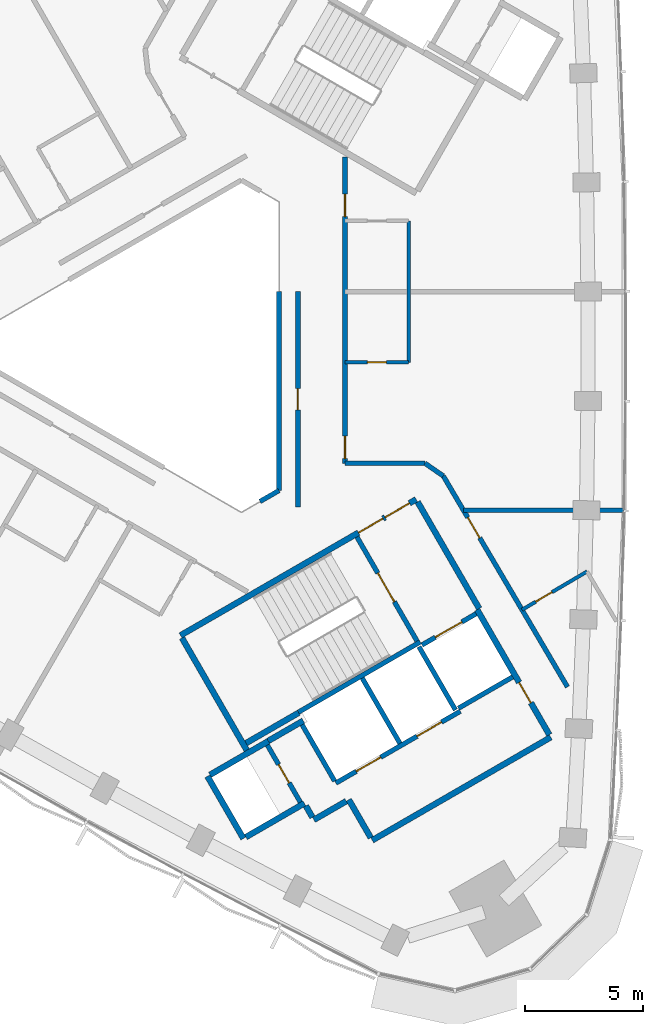
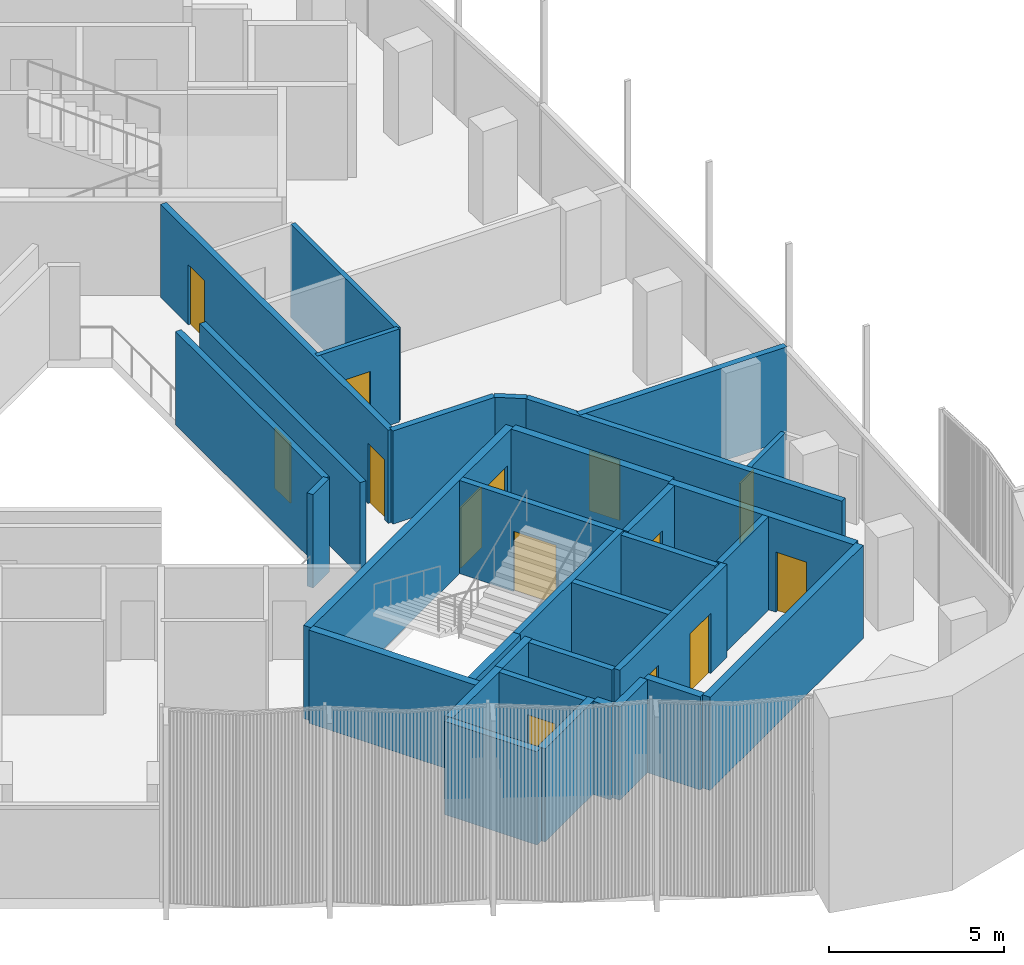
# One storey, part 8 of 13: 33 walls, 14 doors, 14 openings.
"""IFC4 building model written with IfcOpenShell, lengths in metres."""

from ifc_helpers import new_model, si_unit, direction, frame, frame_2d, origin, place, context, subcontext, project, spatial, rectangle, extrude, material, layer, layer_set, type_object, element, fill, save


model = new_model("IFC4")

# Units and contexts
model_context = context("Model", 3, precision=1e-05, world=origin(), true_north=direction((0.0, 1.0)))
body_context = subcontext(model_context, "Body", "Model", "MODEL_VIEW")
ifc_project = project(units=[si_unit("LENGTHUNIT", "METRE"), si_unit("AREAUNIT", "SQUARE_METRE"), si_unit("VOLUMEUNIT", "CUBIC_METRE"), si_unit("PLANEANGLEUNIT", "RADIAN"), si_unit("MASSUNIT", "GRAM", prefix="KILO")], contexts=[model_context])

# Site, building, storey
site_placement = place(None, origin())
site = spatial("IfcSite", under=ifc_project, at=site_placement, CompositionType="ELEMENT")
building_placement = place(site_placement, origin())
building = spatial("IfcBuilding", under=site, at=building_placement, Name="Tamra Quay Hotel Tower", CompositionType="ELEMENT")
storey_placement = place(building_placement, frame((0.0, 0.0, 204.39990234375)))
storey = spatial("IfcBuildingStorey", under=building, at=storey_placement, Name="L51", CompositionType="ELEMENT", Elevation=204.39990234375)

# Wall
ifc_material_1 = material(Name="Concrete M70", Category="concrete")
ifc_layer_1 = layer(ifc_material_1, 0.199951171875)
ifc_layer_set_1 = layer_set([ifc_layer_1], Name="Concrete M70 core wall 200")
wall_type_1 = type_object("IfcWallType", Name="Concrete M70 core wall 200", PredefinedType="SHEAR", material=ifc_layer_set_1)
wall_1_placement = place(storey_placement, frame((5.4189453125, -15.533935546875, 0.0), z_axis=(0.0, 0.0, 1.0), x_axis=(0.866029065029, 0.499993658486, 0.0)))
element("IfcWall", 1, at=wall_1_placement, inside=storey, type_object=wall_type_1, Name="CW2", PredefinedType="SHEAR", context=body_context, shape_type="SweptSolid", body=[
    extrude(rectangle(XDim=5.97412109375, YDim=0.199951171875, at=frame_2d((2.987060546875, 0.0))), origin(), (0.0, 0.0, 1.0), 3.25),
])

# Wall, openings, doors
wall_2_placement = place(storey_placement, frame((7.009765625, -18.54150390625, 0.0), z_axis=(0.0, 0.0, 1.0), x_axis=(0.866030299012, 0.499991521122, 0.0)))
wall_2 = element("IfcWall", 2, at=wall_2_placement, inside=storey, type_object=wall_type_1, Name="CW2", PredefinedType="SHEAR", context=body_context, shape_type="SweptSolid", body=[
    extrude(rectangle(XDim=6.10009765625, YDim=0.199951171875, at=frame_2d((3.050048828125, 0.0))), origin(), (0.0, 0.0, 1.0), 3.25),
])
opening_1_placement = place(wall_2_placement, frame((1.0, 0.0, 0.0)))
opening_1 = element("IfcOpeningElement", 3, at=opening_1_placement, cuts=wall_2, Name="Opening LD", PredefinedType="OPENING", context=body_context, shape_type="SweptSolid", body=[
    extrude(rectangle(XDim=1.199951171875, YDim=2.10009765625, at=frame_2d((0.60009765625, 1.050048828125))), frame((0.0, 0.10986328125, 0.0), z_axis=(0.0, -1.0, 0.0), x_axis=(1.0, 0.0, 0.0)), (0.0, 0.0, 1.0), 0.219970703125),
])
opening_2_placement = place(wall_2_placement, frame((3.982177734375, 0.0, 0.0)))
opening_2 = element("IfcOpeningElement", 4, at=opening_2_placement, cuts=wall_2, Name="Opening LD", PredefinedType="OPENING", context=body_context, shape_type="SweptSolid", body=[
    extrude(rectangle(XDim=1.199951171875, YDim=2.10009765625, at=frame_2d((0.60009765625, 1.050048828125))), frame((0.0, 0.10986328125, 0.0), z_axis=(0.0, -1.0, 0.0), x_axis=(1.0, 0.0, 0.0)), (0.0, 0.0, 1.0), 0.219970703125),
])
ifc_material_2 = material(Name="Landing door LD 1200 double door sliding")
door_type_1 = type_object("IfcDoorType", Name="Landing door LD 1200 double door sliding", OperationType="DOUBLE_DOOR_SLIDING", PredefinedType="DOOR", material=ifc_material_2)
door_1_placement = place(opening_1_placement, origin())
door_1 = element("IfcDoor", 5, at=door_1_placement, inside=storey, type_object=door_type_1, Name="LD", OperationType="DOUBLE_DOOR_SLIDING", OverallHeight=2.10009765625, OverallWidth=1.199951171875, PredefinedType="DOOR", context=body_context, shape_type="SweptSolid", body=[
    extrude(rectangle(XDim=1.199951171875, YDim=2.10009765625, at=frame_2d((0.60009765625, 1.050048828125))), frame((0.0, 0.02490234375, 0.0), z_axis=(0.0, -1.0, 0.0), x_axis=(1.0, 0.0, 0.0)), (0.0, 0.0, 1.0), 0.050048828125),
])
fill(opening_1, door_1)
door_2_placement = place(opening_2_placement, origin())
door_2 = element("IfcDoor", 6, at=door_2_placement, inside=storey, type_object=door_type_1, Name="LD", OperationType="DOUBLE_DOOR_SLIDING", OverallHeight=2.10009765625, OverallWidth=1.199951171875, PredefinedType="DOOR", context=body_context, shape_type="SweptSolid", body=[
    extrude(rectangle(XDim=1.199951171875, YDim=2.10009765625, at=frame_2d((0.60009765625, 1.050048828125))), frame((0.0, 0.02490234375, 0.0), z_axis=(0.0, -1.0, 0.0), x_axis=(1.0, 0.0, 0.0)), (0.0, 0.0, 1.0), 0.050048828125),
])
fill(opening_2, door_2)

# Wall, opening, door
wall_3_placement = place(storey_placement, frame((7.906494140625, -8.094482421875, 0.0), z_axis=(0.0, 0.0, 1.0), x_axis=(0.500027839223, -0.866009330205, 0.0)))
wall_3 = element("IfcWall", 7, at=wall_3_placement, inside=storey, type_object=wall_type_1, Name="CW2", PredefinedType="SHEAR", context=body_context, shape_type="SweptSolid", body=[
    extrude(rectangle(XDim=5.097900390625, YDim=0.199951171875, at=frame_2d((2.548828125, 0.0))), origin(), (0.0, 0.0, 1.0), 3.25),
])
opening_3_placement = place(wall_3_placement, frame((1.77392578125, 0.0, 0.0)))
opening_3 = element("IfcOpeningElement", 8, at=opening_3_placement, cuts=wall_3, Name="Opening FD2", PredefinedType="OPENING", context=body_context, shape_type="SweptSolid", body=[
    extrude(rectangle(XDim=1.39990234375, YDim=2.10009765625, at=frame_2d((0.699951171875, 1.050048828125))), frame((0.0, 0.10986328125, 0.0), z_axis=(0.0, -1.0, 0.0), x_axis=(1.0, 0.0, 0.0)), (0.0, 0.0, 1.0), 0.219970703125),
])
ifc_material_3 = material(Name="Core door FD2 1400x2100 RH")
door_type_2 = type_object("IfcDoorType", Name="Core door FD2 1400x2100 RH", OperationType="NOTDEFINED", PredefinedType="DOOR", material=ifc_material_3)
door_3_placement = place(opening_3_placement, origin())
door_3 = element("IfcDoor", 9, at=door_3_placement, inside=storey, type_object=door_type_2, Name="FD2", OperationType="SINGLE_SWING_RIGHT", OverallHeight=2.10009765625, OverallWidth=1.39990234375, PredefinedType="DOOR", context=body_context, shape_type="SweptSolid", body=[
    extrude(rectangle(XDim=1.39990234375, YDim=2.10009765625, at=frame_2d((0.699951171875, 1.050048828125))), frame((0.0, 0.02490234375, 0.0), z_axis=(0.0, -1.0, 0.0), x_axis=(1.0, 0.0, 0.0)), (0.0, 0.0, 1.0), 0.050048828125),
])
fill(opening_3, door_3)

# Wall
wall_4_placement = place(storey_placement, frame((8.131591796875, -14.084228515625, 0.0), z_axis=(0.0, 0.0, 1.0), x_axis=(0.499997778408, -0.866026686418, 0.0)))
element("IfcWall", 10, at=wall_4_placement, inside=storey, type_object=wall_type_1, Name="CW2", PredefinedType="SHEAR", context=body_context, shape_type="SweptSolid", body=[
    extrude(rectangle(XDim=3.1982421875, YDim=0.199951171875, at=frame_2d((1.59912109375, 0.0))), origin(), (0.0, 0.0, 1.0), 3.25),
])

# Wall, opening, door
wall_5_placement = place(storey_placement, frame((5.50341796875, -19.352294921875, 0.0), z_axis=(0.0, 0.0, 1.0), x_axis=(-0.499986818241, 0.866033014143, 0.0)))
wall_5 = element("IfcWall", 11, at=wall_5_placement, inside=storey, type_object=wall_type_1, Name="CW2", PredefinedType="SHEAR", context=body_context, shape_type="SweptSolid", body=[
    extrude(rectangle(XDim=2.7978515625, YDim=0.199951171875, at=frame_2d((1.39892578125, 0.0))), origin(), (0.0, 0.0, 1.0), 3.25),
])
opening_4_placement = place(wall_5_placement, frame((0.948974609375, 0.0, 0.0)))
opening_4 = element("IfcOpeningElement", 12, at=opening_4_placement, cuts=wall_5, Name="Opening D1", PredefinedType="OPENING", context=body_context, shape_type="SweptSolid", body=[
    extrude(rectangle(XDim=0.89990234375, YDim=2.10009765625, at=frame_2d((0.449951171875, 1.050048828125))), frame((0.0, 0.10986328125, 0.0), z_axis=(0.0, -1.0, 0.0), x_axis=(1.0, 0.0, 0.0)), (0.0, 0.0, 1.0), 0.219970703125),
])
ifc_material_4 = material(Name="Core door D1 900x2100 LH")
door_type_3 = type_object("IfcDoorType", Name="Core door D1 900x2100 LH", OperationType="NOTDEFINED", PredefinedType="DOOR", material=ifc_material_4)
door_4_placement = place(opening_4_placement, origin())
door_4 = element("IfcDoor", 13, at=door_4_placement, inside=storey, type_object=door_type_3, Name="D1", OperationType="SINGLE_SWING_LEFT", OverallHeight=2.10009765625, OverallWidth=0.89990234375, PredefinedType="DOOR", context=body_context, shape_type="SweptSolid", body=[
    extrude(rectangle(XDim=0.89990234375, YDim=2.10009765625, at=frame_2d((0.449951171875, 1.050048828125))), frame((0.0, 0.02490234375, 0.0), z_axis=(0.0, -1.0, 0.0), x_axis=(1.0, 0.0, 0.0)), (0.0, 0.0, 1.0), 0.050048828125),
])
fill(opening_4, door_4)

# Walls
wall_6_placement = place(storey_placement, frame((6.959716796875, -18.455078125, 0.0), z_axis=(0.0, 0.0, 1.0), x_axis=(-0.499926705758, 0.866067716099, 0.0)))
element("IfcWall", 14, at=wall_6_placement, inside=storey, type_object=wall_type_1, Name="CW2", PredefinedType="SHEAR", context=body_context, shape_type="SweptSolid", body=[
    extrude(rectangle(XDim=2.75927734375, YDim=0.199951171875, at=frame_2d((1.379638671875, 0.0))), origin(), (0.0, 0.0, 1.0), 3.25),
])
wall_7_placement = place(storey_placement, frame((12.087646484375, -15.4365234375, 0.0), z_axis=(0.0, 0.0, 1.0), x_axis=(-0.500026960575, 0.86600983753, 0.0)))
element("IfcWall", 15, at=wall_7_placement, inside=storey, type_object=wall_type_1, Name="CW2", PredefinedType="SHEAR", context=body_context, shape_type="SweptSolid", body=[
    extrude(rectangle(XDim=3.099853515625, YDim=0.199951171875, at=frame_2d((1.5498046875, 0.0))), origin(), (0.0, 0.0, 1.0), 3.25),
])

# Wall, opening, door
wall_8_placement = place(storey_placement, frame((10.666015625, -12.677734375, 0.0), z_axis=(0.0, 0.0, 1.0), x_axis=(0.866018407898, 0.500012117035, 0.0)))
wall_8 = element("IfcWall", 16, at=wall_8_placement, inside=storey, type_object=wall_type_1, Name="CW2", PredefinedType="SHEAR", context=body_context, shape_type="SweptSolid", body=[
    extrude(rectangle(XDim=2.65087890625, YDim=0.199951171875, at=frame_2d((1.325439453125, 0.0))), origin(), (0.0, 0.0, 1.0), 3.25),
])
opening_5_placement = place(wall_8_placement, frame((0.65185546875, 0.0, 0.0)))
opening_5 = element("IfcOpeningElement", 17, at=opening_5_placement, cuts=wall_8, Name="Opening LD", PredefinedType="OPENING", context=body_context, shape_type="SweptSolid", body=[
    extrude(rectangle(XDim=1.300048828125, YDim=2.10009765625, at=frame_2d((0.64990234375, 1.050048828125))), frame((0.0, 0.10986328125, 0.0), z_axis=(0.0, -1.0, 0.0), x_axis=(1.0, 0.0, 0.0)), (0.0, 0.0, 1.0), 0.219970703125),
])
ifc_material_5 = material(Name="Landing door LD 1300 sliding to right")
door_type_4 = type_object("IfcDoorType", Name="Landing door LD 1300 sliding to right", OperationType="NOTDEFINED", PredefinedType="DOOR", material=ifc_material_5)
door_5_placement = place(opening_5_placement, origin())
door_5 = element("IfcDoor", 18, at=door_5_placement, inside=storey, type_object=door_type_4, Name="LD", OperationType="SLIDING_TO_RIGHT", OverallHeight=2.10009765625, OverallWidth=1.300048828125, PredefinedType="DOOR", context=body_context, shape_type="SweptSolid", body=[
    extrude(rectangle(XDim=1.300048828125, YDim=2.10009765625, at=frame_2d((0.64990234375, 1.050048828125))), frame((0.0, 0.02490234375, 0.0), z_axis=(0.0, -1.0, 0.0), x_axis=(1.0, 0.0, 0.0)), (0.0, 0.0, 1.0), 0.050048828125),
])
fill(opening_5, door_5)

# Wall
wall_9_placement = place(storey_placement, frame((14.51171875, -14.037109375, 0.0), z_axis=(0.0, 0.0, 1.0), x_axis=(-0.866018407898, -0.500012117035, 0.0)))
element("IfcWall", 19, at=wall_9_placement, inside=storey, type_object=wall_type_1, Name="CW2", PredefinedType="SHEAR", context=body_context, shape_type="SweptSolid", body=[
    extrude(rectangle(XDim=2.65087890625, YDim=0.199951171875, at=frame_2d((1.325439453125, 0.0))), origin(), (0.0, 0.0, 1.0), 3.25),
])

# Wall, openings, doors
ifc_layer_2 = layer(ifc_material_1, 0.25)
ifc_layer_set_2 = layer_set([ifc_layer_2], Name="Concrete M70 core wall 250")
wall_type_2 = type_object("IfcWallType", Name="Concrete M70 core wall 250", PredefinedType="SHEAR", material=ifc_layer_set_2)
wall_10_placement = place(storey_placement, frame((0.417236328125, -12.27294921875, 0.0), z_axis=(0.0, 0.0, 1.0), x_axis=(0.866021906294, 0.500006057782, 0.0)))
wall_10 = element("IfcWall", 20, at=wall_10_placement, inside=storey, type_object=wall_type_2, Name="CW1", PredefinedType="SHEAR", context=body_context, shape_type="SweptSolid", body=[
    extrude(rectangle(XDim=11.550048828125, YDim=0.25, at=frame_2d((5.77490234375, 0.0))), origin(), (0.0, 0.0, 1.0), 3.25),
])
opening_6_placement = place(wall_10_placement, frame((10.024658203125, 0.0, 0.0)))
opening_6 = element("IfcOpeningElement", 21, at=opening_6_placement, cuts=wall_10, Name="Opening FD1", PredefinedType="OPENING", context=body_context, shape_type="SweptSolid", body=[
    extrude(rectangle(XDim=1.199951171875, YDim=2.10009765625, at=frame_2d((0.60009765625, 1.050048828125))), frame((0.0, 0.135009765625, 0.0), z_axis=(0.0, -1.0, 0.0), x_axis=(1.0, 0.0, 0.0)), (0.0, 0.0, 1.0), 0.27001953125),
])
opening_7_placement = place(wall_10_placement, frame((8.724609375, 0.0, 0.0)))
opening_7 = element("IfcOpeningElement", 22, at=opening_7_placement, cuts=wall_10, Name="Opening FD1", PredefinedType="OPENING", context=body_context, shape_type="SweptSolid", body=[
    extrude(rectangle(XDim=1.199951171875, YDim=2.10009765625, at=frame_2d((0.60009765625, 1.050048828125))), frame((0.0, 0.135009765625, 0.0), z_axis=(0.0, -1.0, 0.0), x_axis=(1.0, 0.0, 0.0)), (0.0, 0.0, 1.0), 0.27001953125),
])
ifc_material_6 = material(Name="Core door FD1 1200x2100 LH")
door_type_5 = type_object("IfcDoorType", Name="Core door FD1 1200x2100 LH", OperationType="NOTDEFINED", PredefinedType="DOOR", material=ifc_material_6)
door_6_placement = place(opening_6_placement, origin())
door_6 = element("IfcDoor", 23, at=door_6_placement, inside=storey, type_object=door_type_5, Name="FD1", OperationType="SINGLE_SWING_LEFT", OverallHeight=2.10009765625, OverallWidth=1.199951171875, PredefinedType="DOOR", context=body_context, shape_type="SweptSolid", body=[
    extrude(rectangle(XDim=1.199951171875, YDim=2.10009765625, at=frame_2d((0.60009765625, 1.050048828125))), frame((0.0, 0.02490234375, 0.0), z_axis=(0.0, -1.0, 0.0), x_axis=(1.0, 0.0, 0.0)), (0.0, 0.0, 1.0), 0.050048828125),
])
fill(opening_6, door_6)
ifc_material_7 = material(Name="Core door FD1 1200x2100 RH")
door_type_6 = type_object("IfcDoorType", Name="Core door FD1 1200x2100 RH", OperationType="NOTDEFINED", PredefinedType="DOOR", material=ifc_material_7)
door_7_placement = place(opening_7_placement, origin())
door_7 = element("IfcDoor", 24, at=door_7_placement, inside=storey, type_object=door_type_6, Name="FD1", OperationType="SINGLE_SWING_RIGHT", OverallHeight=2.10009765625, OverallWidth=1.199951171875, PredefinedType="DOOR", context=body_context, shape_type="SweptSolid", body=[
    extrude(rectangle(XDim=1.199951171875, YDim=2.10009765625, at=frame_2d((0.60009765625, 1.050048828125))), frame((0.0, 0.02490234375, 0.0), z_axis=(0.0, -1.0, 0.0), x_axis=(1.0, 0.0, 0.0)), (0.0, 0.0, 1.0), 0.050048828125),
])
fill(opening_7, door_7)

# Wall
wall_11_placement = place(storey_placement, frame((16.13330078125, -16.59375, 0.0), z_axis=(0.0, 0.0, 1.0), x_axis=(-0.866022959057, -0.500004234368, 0.0)))
element("IfcWall", 25, at=wall_11_placement, inside=storey, type_object=wall_type_2, Name="CW1", PredefinedType="SHEAR", context=body_context, shape_type="SweptSolid", body=[
    extrude(rectangle(XDim=8.75, YDim=0.25, at=frame_2d((4.375, 0.0))), origin(), (0.0, 0.0, 1.0), 3.25),
])

# Wall, opening, door
wall_12_placement = place(storey_placement, frame((13.00830078125, -11.18115234375, 0.0), z_axis=(0.0, 0.0, 1.0), x_axis=(0.500001955336, -0.866024274868, 0.0)))
wall_12 = element("IfcWall", 26, at=wall_12_placement, inside=storey, type_object=wall_type_2, Name="CW1", PredefinedType="SHEAR", context=body_context, shape_type="SweptSolid", body=[
    extrude(rectangle(XDim=6.12451171875, YDim=0.25, at=frame_2d((3.062255859375, 0.0))), origin(), (0.0, 0.0, 1.0), 3.25),
])
opening_8_placement = place(wall_12_placement, frame((3.562744140625, 0.0, 0.0)))
opening_8 = element("IfcOpeningElement", 27, at=opening_8_placement, cuts=wall_12, Name="Opening FD3", PredefinedType="OPENING", context=body_context, shape_type="SweptSolid", body=[
    extrude(rectangle(XDim=1.0, YDim=2.10009765625, at=frame_2d((0.5, 1.050048828125))), frame((0.0, 0.135009765625, 0.0), z_axis=(0.0, -1.0, 0.0), x_axis=(1.0, 0.0, 0.0)), (0.0, 0.0, 1.0), 0.27001953125),
])
ifc_material_8 = material(Name="Core door FD3 1000x2100 LH")
door_type_7 = type_object("IfcDoorType", Name="Core door FD3 1000x2100 LH", OperationType="NOTDEFINED", PredefinedType="DOOR", material=ifc_material_8)
door_8_placement = place(opening_8_placement, origin())
door_8 = element("IfcDoor", 28, at=door_8_placement, inside=storey, type_object=door_type_7, Name="FD3", OperationType="SINGLE_SWING_LEFT", OverallHeight=2.10009765625, OverallWidth=1.0, PredefinedType="DOOR", context=body_context, shape_type="SweptSolid", body=[
    extrude(rectangle(XDim=1.0, YDim=2.10009765625, at=frame_2d((0.5, 1.050048828125))), frame((0.0, 0.02490234375, 0.0), z_axis=(0.0, -1.0, 0.0), x_axis=(1.0, 0.0, 0.0)), (0.0, 0.0, 1.0), 0.050048828125),
])
fill(opening_8, door_8)

# Walls
wall_13_placement = place(storey_placement, frame((3.23486328125, -17.15283203125, 0.0), z_axis=(0.0, 0.0, 1.0), x_axis=(-0.500008851346, 0.866020293397, 0.0)))
element("IfcWall", 29, at=wall_13_placement, inside=storey, type_object=wall_type_2, Name="CW1", PredefinedType="SHEAR", context=body_context, shape_type="SweptSolid", body=[
    extrude(rectangle(XDim=5.509765625, YDim=0.25, at=frame_2d((2.7548828125, 0.0))), origin(), (0.0, 0.0, 1.0), 3.25),
])
wall_14_placement = place(storey_placement, frame((10.482666015625, -6.6064453125, 0.0), z_axis=(0.0, 0.0, 1.0), x_axis=(0.49999885962, -0.866026062182, 0.0)))
element("IfcWall", 30, at=wall_14_placement, inside=storey, type_object=wall_type_2, Name="CW1", PredefinedType="SHEAR", context=body_context, shape_type="SweptSolid", body=[
    extrude(rectangle(XDim=5.224609375, YDim=0.25, at=frame_2d((2.6123046875, 0.0))), origin(), (0.0, 0.0, 1.0), 3.25),
])
wall_15_placement = place(storey_placement, frame((3.085205078125, -20.893798828125, 0.0), z_axis=(0.0, 0.0, 1.0), x_axis=(-0.499978833458, 0.866037623948, 0.0)))
element("IfcWall", 31, at=wall_15_placement, inside=storey, type_object=wall_type_2, Name="CW1", PredefinedType="SHEAR", context=body_context, shape_type="SweptSolid", body=[
    extrude(rectangle(XDim=3.050048828125, YDim=0.25, at=frame_2d((1.52490234375, 0.0))), origin(), (0.0, 0.0, 1.0), 3.25),
])
wall_16_placement = place(storey_placement, frame((1.6689453125, -18.189697265625, 0.0), z_axis=(0.0, 0.0, 1.0), x_axis=(0.866042235819, 0.499970844928, 0.0)))
element("IfcWall", 32, at=wall_16_placement, inside=storey, type_object=wall_type_2, Name="CW1", PredefinedType="SHEAR", context=body_context, shape_type="SweptSolid", body=[
    extrude(rectangle(XDim=2.864501953125, YDim=0.25, at=frame_2d((1.43212890625, 0.0))), origin(), (0.0, 0.0, 1.0), 3.25),
])
wall_17_placement = place(storey_placement, frame((5.6748046875, -19.39892578125, 0.0), z_axis=(0.0, 0.0, 1.0), x_axis=(-0.866026637627, -0.499997862916, 0.0)))
element("IfcWall", 33, at=wall_17_placement, inside=storey, type_object=wall_type_2, Name="CW1", PredefinedType="SHEAR", context=body_context, shape_type="SweptSolid", body=[
    extrude(rectangle(XDim=2.86474609375, YDim=0.25, at=frame_2d((1.432373046875, 0.0))), origin(), (0.0, 0.0, 1.0), 3.25),
])
wall_18_placement = place(storey_placement, frame((5.4306640625, -15.55615234375, 0.0), z_axis=(0.0, 0.0, 1.0), x_axis=(-0.866022940537, -0.500004266446, 0.0)))
element("IfcWall", 34, at=wall_18_placement, inside=storey, type_object=wall_type_2, Name="CW1", PredefinedType="SHEAR", context=body_context, shape_type="SweptSolid", body=[
    extrude(rectangle(XDim=2.57470703125, YDim=0.25, at=frame_2d((1.287353515625, 0.0))), origin(), (0.0, 0.0, 1.0), 3.25),
])
wall_19_placement = place(storey_placement, frame((8.492919921875, -20.860107421875, 0.0), z_axis=(0.0, 0.0, 1.0), x_axis=(-0.500039802285, 0.866002422705, 0.0)))
element("IfcWall", 35, at=wall_19_placement, inside=storey, type_object=wall_type_2, Name="CW1", PredefinedType="SHEAR", context=body_context, shape_type="SweptSolid", body=[
    extrude(rectangle(XDim=1.864501953125, YDim=0.25, at=frame_2d((0.93212890625, 0.0))), origin(), (0.0, 0.0, 1.0), 3.25),
])
wall_20_placement = place(storey_placement, frame((4.144775390625, -16.748779296875, 0.0), z_axis=(0.0, 0.0, 1.0), x_axis=(0.866038183914, 0.499977863513, 0.0)))
element("IfcWall", 36, at=wall_20_placement, inside=storey, type_object=wall_type_2, Name="CW1", PredefinedType="SHEAR", context=body_context, shape_type="SweptSolid", body=[
    extrude(rectangle(XDim=1.7099609375, YDim=0.25, at=frame_2d((0.85498046875, 0.0))), origin(), (0.0, 0.0, 1.0), 3.25),
])
wall_21_placement = place(storey_placement, frame((7.451904296875, -19.30810546875, 0.0), z_axis=(0.0, 0.0, 1.0), x_axis=(-0.866044474677, -0.49996696679, 0.0)))
element("IfcWall", 37, at=wall_21_placement, inside=storey, type_object=wall_type_2, Name="CW1", PredefinedType="SHEAR", context=body_context, shape_type="SweptSolid", body=[
    extrude(rectangle(XDim=1.58447265625, YDim=0.25, at=frame_2d((0.792236328125, 0.0))), origin(), (0.0, 0.0, 1.0), 3.25),
])
wall_22_placement = place(storey_placement, frame((6.01708984375, -19.99169921875, 0.0), z_axis=(0.0, 0.0, 1.0), x_axis=(-0.500364886717, 0.865814633822, 0.0)))
element("IfcWall", 38, at=wall_22_placement, inside=storey, type_object=wall_type_2, Name="CW1", PredefinedType="SHEAR", context=body_context, shape_type="SweptSolid", body=[
    extrude(rectangle(XDim=0.55908203125, YDim=0.25, at=frame_2d((0.279541015625, 0.0))), origin(), (0.0, 0.0, 1.0), 3.25),
])

# Wall, opening, door
ifc_material_9 = material(Name="Partition corridor wall")
ifc_layer_3 = layer(ifc_material_9, 0.199951171875)
ifc_layer_set_3 = layer_set([ifc_layer_3], Name="Partition corridor wall")
wall_type_3 = type_object("IfcWallType", Name="Partition corridor wall", PredefinedType="PARTITIONING", material=ifc_layer_set_3)
wall_23_placement = place(storey_placement, frame((5.39990234375, -6.826904296875, 0.0), z_axis=(0.0, 0.0, 1.0), x_axis=(0.0, 1.0, 0.0)))
wall_23 = element("IfcWall", 39, at=wall_23_placement, inside=storey, type_object=wall_type_3, Name="W-C", PredefinedType="PARTITIONING", context=body_context, shape_type="SweptSolid", body=[
    extrude(rectangle(XDim=9.157958984375, YDim=0.199951171875, at=frame_2d((4.5791015625, 0.0))), origin(), (0.0, 0.0, 1.0), 3.25),
])
opening_9_placement = place(wall_23_placement, frame((4.12890625, 0.0, 0.0)))
opening_9 = element("IfcOpeningElement", 40, at=opening_9_placement, cuts=wall_23, Name="Opening L51-D020", PredefinedType="OPENING", context=body_context, shape_type="SweptSolid", body=[
    extrude(rectangle(XDim=0.89990234375, YDim=2.10009765625, at=frame_2d((0.449951171875, 1.050048828125))), frame((0.0, 0.10986328125, 0.0), z_axis=(0.0, -1.0, 0.0), x_axis=(1.0, 0.0, 0.0)), (0.0, 0.0, 1.0), 0.219970703125),
])
ifc_material_10 = material(Name="Door service room 900x2100")
door_type_8 = type_object("IfcDoorType", Name="Door service room 900x2100", OperationType="NOTDEFINED", PredefinedType="DOOR", material=ifc_material_10)
door_9_placement = place(opening_9_placement, origin())
door_9 = element("IfcDoor", 41, at=door_9_placement, inside=storey, type_object=door_type_8, Name="L51-D020", OperationType="SINGLE_SWING_LEFT", OverallHeight=2.10009765625, OverallWidth=0.89990234375, PredefinedType="DOOR", context=body_context, shape_type="SweptSolid", body=[
    extrude(rectangle(XDim=0.89990234375, YDim=2.10009765625, at=frame_2d((0.449951171875, 1.050048828125))), frame((0.0, 0.02490234375, 0.0), z_axis=(0.0, -1.0, 0.0), x_axis=(1.0, 0.0, 0.0)), (0.0, 0.0, 1.0), 0.050048828125),
])
fill(opening_9, door_9)

# Wall, openings, doors
wall_24_placement = place(storey_placement, frame((7.39990234375, -4.966064453125, 0.0), z_axis=(0.0, 0.0, 1.0), x_axis=(0.0, 1.0, 0.0)))
wall_24 = element("IfcWall", 42, at=wall_24_placement, inside=storey, type_object=wall_type_3, Name="W-C", PredefinedType="PARTITIONING", context=body_context, shape_type="SweptSolid", body=[
    extrude(rectangle(XDim=12.993896484375, YDim=0.199951171875, at=frame_2d((6.4970703125, 0.0))), origin(), (0.0, 0.0, 1.0), 3.25),
])
opening_10_placement = place(wall_24_placement, frame((0.199951171875, 0.0, 0.0)))
opening_10 = element("IfcOpeningElement", 43, at=opening_10_placement, cuts=wall_24, Name="Opening L51-D016", PredefinedType="OPENING", context=body_context, shape_type="SweptSolid", body=[
    extrude(rectangle(XDim=0.949951171875, YDim=2.10009765625, at=frame_2d((0.47509765625, 1.050048828125))), frame((0.0, 0.10986328125, 0.0), z_axis=(0.0, -1.0, 0.0), x_axis=(1.0, 0.0, 0.0)), (0.0, 0.0, 1.0), 0.219970703125),
])
opening_11_placement = place(wall_24_placement, frame((10.472900390625, 0.0, 0.0)))
opening_11 = element("IfcOpeningElement", 44, at=opening_11_placement, cuts=wall_24, Name="Opening L51-D018", PredefinedType="OPENING", context=body_context, shape_type="SweptSolid", body=[
    extrude(rectangle(XDim=0.949951171875, YDim=2.10009765625, at=frame_2d((0.47509765625, 1.050048828125))), frame((0.0, 0.10986328125, 0.0), z_axis=(0.0, -1.0, 0.0), x_axis=(1.0, 0.0, 0.0)), (0.0, 0.0, 1.0), 0.219970703125),
])
ifc_material_11 = material(Name="Door guest room 950x2100")
door_type_9 = type_object("IfcDoorType", Name="Door guest room 950x2100", OperationType="NOTDEFINED", PredefinedType="DOOR", material=ifc_material_11)
door_10_placement = place(opening_10_placement, frame((0.949951171875, 0.0, 0.0), z_axis=(0.0, 0.0, 1.0), x_axis=(-1.0, 0.0, 0.0)))
door_10 = element("IfcDoor", 45, at=door_10_placement, inside=storey, type_object=door_type_9, Name="L51-D016", OperationType="SINGLE_SWING_LEFT", OverallHeight=2.10009765625, OverallWidth=0.949951171875, PredefinedType="DOOR", context=body_context, shape_type="SweptSolid", body=[
    extrude(rectangle(XDim=0.949951171875, YDim=2.10009765625, at=frame_2d((0.47509765625, 1.050048828125))), frame((0.0, 0.02490234375, 0.0), z_axis=(0.0, -1.0, 0.0), x_axis=(1.0, 0.0, 0.0)), (0.0, 0.0, 1.0), 0.050048828125),
])
fill(opening_10, door_10)
door_11_placement = place(opening_11_placement, frame((0.949951171875, 0.0, 0.0), z_axis=(0.0, 0.0, 1.0), x_axis=(-1.0, 0.0, 0.0)))
door_11 = element("IfcDoor", 46, at=door_11_placement, inside=storey, type_object=door_type_9, Name="L51-D018", OperationType="SINGLE_SWING_LEFT", OverallHeight=2.10009765625, OverallWidth=0.949951171875, PredefinedType="DOOR", context=body_context, shape_type="SweptSolid", body=[
    extrude(rectangle(XDim=0.949951171875, YDim=2.10009765625, at=frame_2d((0.47509765625, 1.050048828125))), frame((0.0, 0.02490234375, 0.0), z_axis=(0.0, -1.0, 0.0), x_axis=(1.0, 0.0, 0.0)), (0.0, 0.0, 1.0), 0.050048828125),
])
fill(opening_11, door_11)

# Walls
wall_25_placement = place(storey_placement, frame((7.39990234375, -4.966064453125, 0.0), z_axis=(0.0, 0.0, 1.0), x_axis=(1.0, 0.0, 0.0)))
element("IfcWall", 47, at=wall_25_placement, inside=storey, type_object=wall_type_3, Name="W-C", PredefinedType="PARTITIONING", context=body_context, shape_type="SweptSolid", body=[
    extrude(rectangle(XDim=3.39306640625, YDim=0.199951171875, at=frame_2d((1.696533203125, 0.0))), origin(), (0.0, 0.0, 1.0), 3.25),
])
wall_26_placement = place(storey_placement, frame((10.7939453125, -4.966064453125, 0.0), z_axis=(0.0, 0.0, 1.0), x_axis=(0.822266583859, -0.569102508401, 0.0)))
element("IfcWall", 48, at=wall_26_placement, inside=storey, type_object=wall_type_3, Name="W-C", PredefinedType="PARTITIONING", context=body_context, shape_type="SweptSolid", body=[
    extrude(rectangle(XDim=0.945068359375, YDim=0.199951171875, at=frame_2d((0.47265625, 0.0))), origin(), (0.0, 0.0, 1.0), 3.25),
])

# Wall, opening, door
wall_27_placement = place(storey_placement, frame((11.5712890625, -5.5048828125, 0.0), z_axis=(0.0, 0.0, 1.0), x_axis=(0.507266536157, -0.861789220921, 0.0)))
wall_27 = element("IfcWall", 49, at=wall_27_placement, inside=storey, type_object=wall_type_3, Name="W-C", PredefinedType="PARTITIONING", context=body_context, shape_type="SweptSolid", body=[
    extrude(rectangle(XDim=10.390869140625, YDim=0.199951171875, at=frame_2d((5.1953125, 0.0))), origin(), (0.0, 0.0, 1.0), 3.25),
])
opening_12_placement = place(wall_27_placement, frame((2.047607421875, 0.0, 0.0)))
opening_12 = element("IfcOpeningElement", 50, at=opening_12_placement, cuts=wall_27, Name="Opening L51-D014", PredefinedType="OPENING", context=body_context, shape_type="SweptSolid", body=[
    extrude(rectangle(XDim=1.0, YDim=2.10009765625, at=frame_2d((0.5, 1.050048828125))), frame((0.0, 0.10986328125, 0.0), z_axis=(0.0, -1.0, 0.0), x_axis=(1.0, 0.0, 0.0)), (0.0, 0.0, 1.0), 0.219970703125),
])
ifc_material_12 = material(Name="Door guest room 1000x2100")
door_type_10 = type_object("IfcDoorType", Name="Door guest room 1000x2100", OperationType="NOTDEFINED", PredefinedType="DOOR", material=ifc_material_12)
door_12_placement = place(opening_12_placement, origin())
door_12 = element("IfcDoor", 51, at=door_12_placement, inside=storey, type_object=door_type_10, Name="L51-D014", OperationType="SINGLE_SWING_LEFT", OverallHeight=2.10009765625, OverallWidth=1.0, PredefinedType="DOOR", context=body_context, shape_type="SweptSolid", body=[
    extrude(rectangle(XDim=1.0, YDim=2.10009765625, at=frame_2d((0.5, 1.050048828125))), frame((0.0, 0.02490234375, 0.0), z_axis=(0.0, -1.0, 0.0), x_axis=(1.0, 0.0, 0.0)), (0.0, 0.0, 1.0), 0.050048828125),
])
fill(opening_12, door_12)

ifc_material_13 = material(Name="Partition en-suite wall")
ifc_layer_4 = layer(ifc_material_13, 0.14990234375)
ifc_layer_set_4 = layer_set([ifc_layer_4], Name="Partition en-suite wall")
wall_type_4 = type_object("IfcWallType", Name="Partition en-suite wall", PredefinedType="PARTITIONING", material=ifc_layer_set_4)
wall_28_placement = place(storey_placement, frame((7.39990234375, -0.680908203125, 0.0), z_axis=(0.0, 0.0, 1.0), x_axis=(1.0, 0.0, 0.0)))
wall_28 = element("IfcWall", 52, at=wall_28_placement, inside=storey, type_object=wall_type_4, Name="W-E", PredefinedType="PARTITIONING", context=body_context, shape_type="SweptSolid", body=[
    extrude(rectangle(XDim=2.7001953125, YDim=0.14990234375, at=frame_2d((1.35009765625, 0.0))), origin(), (0.0, 0.0, 1.0), 3.25),
])
opening_13_placement = place(wall_28_placement, frame((0.949951171875, 0.0, 0.0)))
opening_13 = element("IfcOpeningElement", 53, at=opening_13_placement, cuts=wall_28, Name="Opening L51-D017", PredefinedType="OPENING", context=body_context, shape_type="SweptSolid", body=[
    extrude(rectangle(XDim=0.800048828125, YDim=2.10009765625, at=frame_2d((0.39990234375, 1.050048828125))), frame((0.0, 0.0849609375, 0.0), z_axis=(0.0, -1.0, 0.0), x_axis=(1.0, 0.0, 0.0)), (0.0, 0.0, 1.0), 0.169921875),
])
ifc_material_14 = material(Name="Door en-suite 800x2100")
door_type_11 = type_object("IfcDoorType", Name="Door en-suite 800x2100", OperationType="NOTDEFINED", PredefinedType="DOOR", material=ifc_material_14)
door_13_placement = place(opening_13_placement, frame((0.800048828125, 0.0, 0.0), z_axis=(0.0, 0.0, 1.0), x_axis=(-1.0, 0.0, 0.0)))
door_13 = element("IfcDoor", 54, at=door_13_placement, inside=storey, type_object=door_type_11, Name="L51-D017", OperationType="SINGLE_SWING_LEFT", OverallHeight=2.10009765625, OverallWidth=0.800048828125, PredefinedType="DOOR", context=body_context, shape_type="SweptSolid", body=[
    extrude(rectangle(XDim=0.800048828125, YDim=2.10009765625, at=frame_2d((0.39990234375, 1.050048828125))), frame((0.0, 0.02490234375, 0.0), z_axis=(0.0, -1.0, 0.0), x_axis=(1.0, 0.0, 0.0)), (0.0, 0.0, 1.0), 0.050048828125),
])
fill(opening_13, door_13)

# Wall
wall_29_placement = place(storey_placement, frame((10.10009765625, -0.680908203125, 0.0), z_axis=(0.0, 0.0, 1.0), x_axis=(0.0, 1.0, 0.0)))
element("IfcWall", 55, at=wall_29_placement, inside=storey, type_object=wall_type_4, Name="W-E", PredefinedType="PARTITIONING", context=body_context, shape_type="SweptSolid", body=[
    extrude(rectangle(XDim=5.997802734375, YDim=0.14990234375, at=frame_2d((2.9990234375, 0.0))), origin(), (0.0, 0.0, 1.0), 3.25),
])

# Wall, opening, door
wall_30_placement = place(storey_placement, frame((14.9140625, -11.18408203125, 0.0), z_axis=(0.0, 0.0, 1.0), x_axis=(0.861843987552, 0.507173482273, 0.0)))
wall_30 = element("IfcWall", 56, at=wall_30_placement, inside=storey, type_object=wall_type_4, Name="W-E", PredefinedType="PARTITIONING", context=body_context, shape_type="SweptSolid", body=[
    extrude(rectangle(XDim=3.2001953125, YDim=0.14990234375, at=frame_2d((1.60009765625, 0.0))), origin(), (0.0, 0.0, 1.0), 2.35009765625),
])
opening_14_placement = place(wall_30_placement, frame((0.675048828125, 0.0, 0.0)))
opening_14 = element("IfcOpeningElement", 57, at=opening_14_placement, cuts=wall_30, Name="Opening L51-D015", PredefinedType="OPENING", context=body_context, shape_type="SweptSolid", body=[
    extrude(rectangle(XDim=0.800048828125, YDim=2.10009765625, at=frame_2d((0.39990234375, 1.050048828125))), frame((0.0, 0.0849609375, 0.0), z_axis=(0.0, -1.0, 0.0), x_axis=(1.0, 0.0, 0.0)), (0.0, 0.0, 1.0), 0.169921875),
])
door_14_placement = place(opening_14_placement, origin())
door_14 = element("IfcDoor", 58, at=door_14_placement, inside=storey, type_object=door_type_11, Name="L51-D015", OperationType="SINGLE_SWING_LEFT", OverallHeight=2.10009765625, OverallWidth=0.800048828125, PredefinedType="DOOR", context=body_context, shape_type="SweptSolid", body=[
    extrude(rectangle(XDim=0.800048828125, YDim=2.10009765625, at=frame_2d((0.39990234375, 1.050048828125))), frame((0.0, 0.02490234375, 0.0), z_axis=(0.0, -1.0, 0.0), x_axis=(1.0, 0.0, 0.0)), (0.0, 0.0, 1.0), 0.050048828125),
])
fill(opening_14, door_14)

# Walls
ifc_material_15 = material(Name="Partition party wall")
ifc_layer_5 = layer(ifc_material_15, 0.199951171875)
ifc_layer_set_5 = layer_set([ifc_layer_5], Name="Partition party wall")
wall_type_5 = type_object("IfcWallType", Name="Partition party wall", PredefinedType="PARTITIONING", material=ifc_layer_set_5)
wall_31_placement = place(storey_placement, frame((3.7900390625, -6.587890625, 0.0), z_axis=(0.0, 0.0, 1.0), x_axis=(0.865985641702, 0.500068863623, 0.0)))
element("IfcWall", 59, at=wall_31_placement, inside=storey, type_object=wall_type_5, Name="W-P", PredefinedType="PARTITIONING", context=body_context, shape_type="SweptSolid", body=[
    extrude(rectangle(XDim=0.935302734375, YDim=0.199951171875, at=frame_2d((0.4677734375, 0.0))), origin(), (0.0, 0.0, 1.0), 3.25),
])
wall_32_placement = place(storey_placement, frame((4.60009765625, -6.1201171875, 0.0), z_axis=(0.0, 0.0, 1.0), x_axis=(0.0, 1.0, 0.0)))
element("IfcWall", 60, at=wall_32_placement, inside=storey, type_object=wall_type_5, Name="W-P", PredefinedType="PARTITIONING", context=body_context, shape_type="SweptSolid", body=[
    extrude(rectangle(XDim=8.451171875, YDim=0.199951171875, at=frame_2d((4.2255859375, 0.0))), origin(), (0.0, 0.0, 1.0), 3.25),
])
wall_33_placement = place(storey_placement, frame((12.425048828125, -6.9560546875, 0.0), z_axis=(0.0, 0.0, 1.0), x_axis=(1.0, 0.0, 0.0)))
element("IfcWall", 61, at=wall_33_placement, inside=storey, type_object=wall_type_5, Name="W-P", PredefinedType="PARTITIONING", context=body_context, shape_type="SweptSolid", body=[
    extrude(rectangle(XDim=6.817138671875, YDim=0.199951171875, at=frame_2d((3.40869140625, 0.0))), origin(), (0.0, 0.0, 1.0), 3.25),
])

save(model, "model.ifc")
